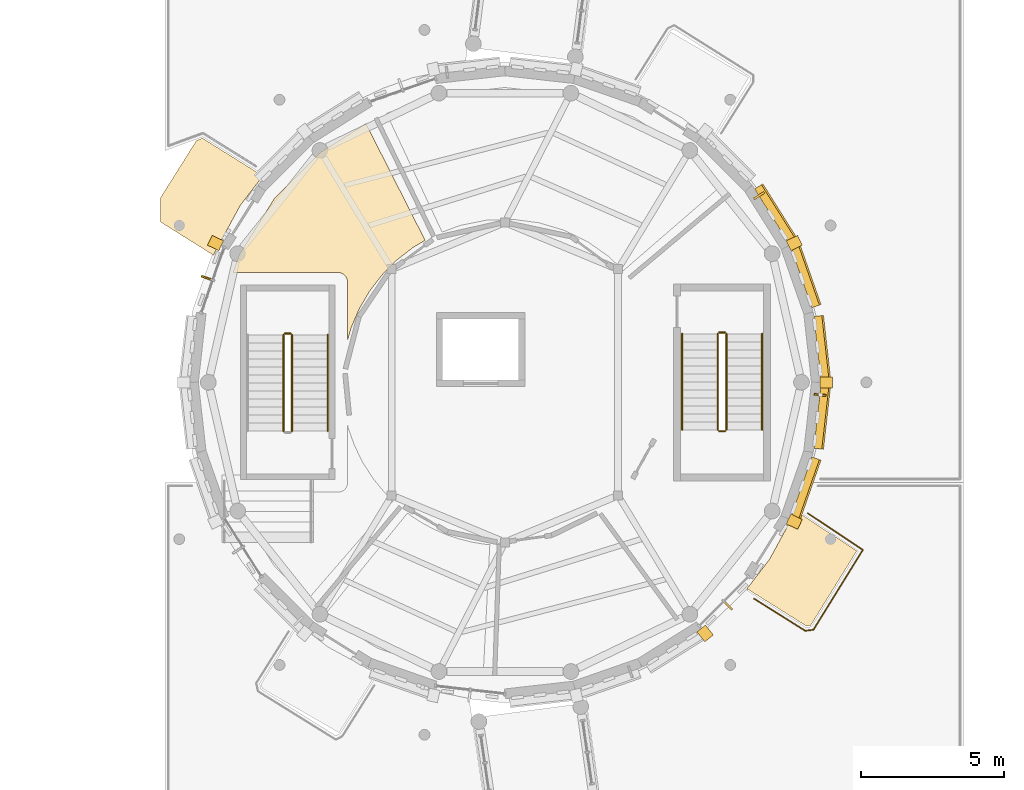
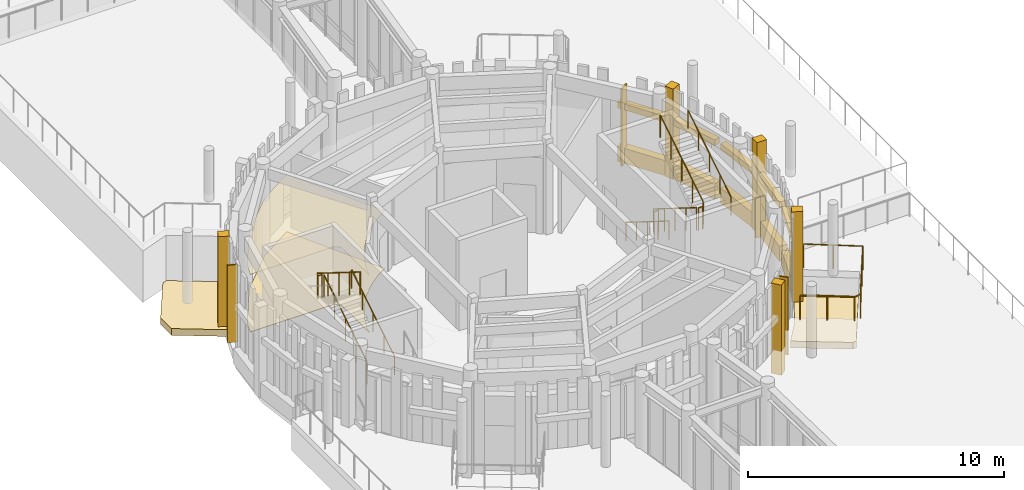
# One storey, part 72 of 94: 19 coverings, 11 railings, 4 shading devices.
"""IFC4 building model written with IfcOpenShell, lengths in metres."""

from ifc_helpers import new_model, si_unit, direction, frame, origin, origin_2d, place, context, subcontext, project, spatial, polyline, rectangle, circle, outline, extrude, material, layer, layer_set, type_object, element, save


model = new_model("IFC4")

# Units and contexts
model_context = context("Model", 3, precision=1e-05, world=origin(), true_north=direction((0.0, 1.0)))
body_context = subcontext(model_context, "Body", "Model", "MODEL_VIEW")
ifc_project = project(units=[si_unit("LENGTHUNIT", "METRE"), si_unit("AREAUNIT", "SQUARE_METRE"), si_unit("VOLUMEUNIT", "CUBIC_METRE"), si_unit("PLANEANGLEUNIT", "RADIAN"), si_unit("MASSUNIT", "GRAM", prefix="KILO")], contexts=[model_context])

# Site, building, storey
site_placement = place(None, origin())
site = spatial("IfcSite", under=ifc_project, at=site_placement, CompositionType="ELEMENT")
building_placement = place(site_placement, origin())
building = spatial("IfcBuilding", under=site, at=building_placement, Name="Aldenvaro Health Centre", CompositionType="ELEMENT")
storey_placement = place(building_placement, origin())
storey = spatial("IfcBuildingStorey", under=building, at=storey_placement, Name="L00", CompositionType="ELEMENT", Elevation=0.0)

# Coverings
ifc_material_1 = material(Name="Antimicrobial Mineral Fibre Ceiling")
ifc_layer_1 = layer(ifc_material_1, 0.01806640625, Name="Antimicrobial Mineral Fibre Ceiling")
ifc_layer_set_1 = layer_set([ifc_layer_1], Name="Antimicrobial Mineral Fibre Ceiling")
covering_type_1 = type_object("IfcCoveringType", Name="COV-CLG-ACT18", PredefinedType="CEILING", material=ifc_layer_set_1)
covering_1_placement = place(storey_placement, frame((0.0, 0.0, 2.75)))
element("IfcCovering", 1, at=covering_1_placement, inside=storey, type_object=covering_type_1, Name="D3-L00-R02 Suspended Ceiling", PredefinedType="CEILING", context=body_context, shape_type="SweptSolid", body=[
    extrude(outline(polyline([(17.989990234375, 58.958984375), (17.989990234375, 61.02001953125), (17.989990234375, 61.031982421875), (17.989013671875, 61.0400390625), (17.987060546875, 61.06298828125), (17.986083984375, 61.071044921875), (17.98095703125, 61.093994140625), (17.97900390625, 61.10205078125), (17.972900390625, 61.1240234375), (17.969970703125, 61.131103515625), (17.9609375, 61.153076171875), (17.9580078125, 61.159912109375), (17.946044921875, 61.180908203125), (17.94189453125, 61.18798828125), (17.928955078125, 61.20703125), (17.925048828125, 61.214111328125), (17.909912109375, 61.23193359375), (17.904052734375, 61.238037109375), (17.887939453125, 61.25390625), (17.882080078125, 61.260009765625), (17.864013671875, 61.27490234375), (17.85693359375, 61.279052734375), (17.837890625, 61.2919921875), (17.8310546875, 61.2958984375), (17.81005859375, 61.30810546875), (17.802978515625, 61.31103515625), (17.781005859375, 61.320068359375), (17.77392578125, 61.322998046875), (17.751953125, 61.3291015625), (17.743896484375, 61.3310546875), (17.720947265625, 61.3359375), (17.712890625, 61.3369140625), (17.68994140625, 61.339111328125), (17.681884765625, 61.340087890625), (17.669921875, 61.340087890625), (13.98095703125, 61.340087890625), (14.2041015625, 61.97705078125), (15.43310546875, 63.93310546875), (17.06689453125, 65.56689453125), (18.637939453125, 66.553955078125), (20.708984375, 62.469970703125), (20.304931640625, 62.23193359375), (20.280029296875, 62.215087890625), (19.73193359375, 61.7900390625), (19.708984375, 61.76904296875), (19.218994140625, 61.278076171875), (19.198974609375, 61.2548828125), (18.77490234375, 60.705078125), (18.758056640625, 60.679931640625), (18.406982421875, 60.0810546875), (18.39404296875, 60.053955078125), (18.12109375, 59.416015625), (18.111083984375, 59.386962890625), (17.989990234375, 58.958984375)])), origin(), (0.0, 0.0, 1.0), 0.01806640625),
])
ifc_material_2 = material(Name="Honed Sonoran Buff Limestone", Category="masonry")
ifc_layer_2 = layer(ifc_material_2, 0.280029296875, Name="Honed Sonoran Buff Limestone", Category="masonry")
ifc_layer_set_2 = layer_set([ifc_layer_2], Name="Honed Sonoran Buff Limestone")
covering_type_2 = type_object("IfcCoveringType", Name="COV-CRN-STN", PredefinedType="CLADDING", material=ifc_layer_set_2)
covering_2_placement = place(storey_placement, frame((34.60107421875, 56.2490234375, 0.0), z_axis=(0.0, 0.0, 1.0), x_axis=(-0.111870646695, -0.993722777443, 0.0)))
element("IfcCovering", 2, at=covering_2_placement, inside=storey, type_object=covering_type_2, Name="D3 L00 Rusticated Limestone Plinth 1.1", PredefinedType="CLADDING", context=body_context, shape_type="SweptSolid", body=[
    extrude(rectangle(XDim=2.159912109375, YDim=0.340087890625, at=origin_2d()), origin(), (0.0, 0.0, 1.0), 0.719970703125),
])
covering_3_placement = place(storey_placement, frame((34.572021484375, 56.2529296875, 2.5498046875), z_axis=(0.0, 0.0, 1.0), x_axis=(-0.111870646695, -0.993722777443, 0.0)))
element("IfcCovering", 3, at=covering_3_placement, inside=storey, type_object=covering_type_2, Name="D3 L00 Rusticated Limestone Plinth 1.2", PredefinedType="CLADDING", context=body_context, shape_type="SweptSolid", body=[
    extrude(rectangle(XDim=2.159912109375, YDim=0.280029296875, at=origin_2d()), origin(), (0.0, 0.0, 1.0), 0.280029296875),
])
covering_4_placement = place(storey_placement, frame((34.739990234375, 57.5, -0.00048828125), z_axis=(0.0, 0.0, 1.0), x_axis=(1.0, 0.0, 0.0)))
element("IfcCovering", 4, at=covering_4_placement, inside=storey, type_object=covering_type_2, Name="D3 L00 Engaged Classical Limestone Pilaster 01", PredefinedType="CLADDING", context=body_context, shape_type="SweptSolid", body=[
    extrude(rectangle(XDim=0.43994140625, YDim=0.3798828125, at=origin_2d()), origin(), (0.0, 0.0, 1.0), 4.304931640625),
])
covering_5_placement = place(storey_placement, frame((34.044921875, 53.81103515625, 0.0), z_axis=(0.0, 0.0, 1.0), x_axis=(-0.330204431323, -0.943909441385, 0.0)))
element("IfcCovering", 5, at=covering_5_placement, inside=storey, type_object=covering_type_2, Name="D3 L00 Rusticated Limestone Plinth 2.1", PredefinedType="CLADDING", context=body_context, shape_type="SweptSolid", body=[
    extrude(rectangle(XDim=2.160888671875, YDim=0.340087890625, at=origin_2d()), origin(), (0.0, 0.0, 1.0), 0.719970703125),
])
covering_6_placement = place(storey_placement, frame((34.01708984375, 53.821044921875, 2.5498046875), z_axis=(0.0, 0.0, 1.0), x_axis=(-0.330204431323, -0.943909441385, 0.0)))
element("IfcCovering", 6, at=covering_6_placement, inside=storey, type_object=covering_type_2, Name="D3 L00 Rusticated Limestone Plinth 2.2", PredefinedType="CLADDING", context=body_context, shape_type="SweptSolid", body=[
    extrude(rectangle(XDim=2.160888671875, YDim=0.280029296875, at=origin_2d()), origin(), (0.0, 0.0, 1.0), 0.280029296875),
])
for number, where, z_axis, x_axis, name in (
    (7, (33.626953125, 52.6240234375, -0.00048828125), (0.0, 0.0, 1.0), (0.900988388345, -0.433843202168, 0.0), "D3 L00 Engaged Classical Limestone Pilaster 02"),
    (8, (30.508056640625, 48.7119140625, -0.00048828125), (0.0, 0.0, 1.0), (0.623485976143, -0.781834533359, 0.0), "D3 L00 Engaged Classical Limestone Pilaster 03"),
    (9, (13.373046875, 62.3759765625, -0.00048828125), (0.0, 0.0, 1.0), (-0.900988388345, 0.433843202168, 0.0), "D3 L00 Engaged Classical Limestone Pilaster 09"),
):
    element("IfcCovering", number, at=place(storey_placement, frame(where, z_axis=z_axis, x_axis=x_axis)), inside=storey, type_object=covering_type_2, Name=name, PredefinedType="CLADDING", context=body_context, shape_type="SweptSolid", body=[
        extrude(rectangle(XDim=0.43994140625, YDim=0.3798828125, at=origin_2d()), origin(), (0.0, 0.0, 1.0), 4.304931640625),
    ])
covering_7_placement = place(storey_placement, frame((32.958984375, 63.443115234375, 0.0), z_axis=(0.0, 0.0, 1.0), x_axis=(0.532096042675, -0.846684003256, 0.0)))
element("IfcCovering", 10, at=covering_7_placement, inside=storey, type_object=covering_type_2, Name="D3 L00 Rusticated Limestone Plinth 26.1", PredefinedType="CLADDING", context=body_context, shape_type="SweptSolid", body=[
    extrude(rectangle(XDim=2.160888671875, YDim=0.340087890625, at=origin_2d()), origin(), (0.0, 0.0, 1.0), 0.719970703125),
])
covering_8_placement = place(storey_placement, frame((32.93408203125, 63.427001953125, 2.5498046875), z_axis=(0.0, 0.0, 1.0), x_axis=(0.532096042675, -0.846684003256, 0.0)))
element("IfcCovering", 11, at=covering_8_placement, inside=storey, type_object=covering_type_2, Name="D3 L00 Rusticated Limestone Plinth 26.2", PredefinedType="CLADDING", context=body_context, shape_type="SweptSolid", body=[
    extrude(rectangle(XDim=2.160888671875, YDim=0.280029296875, at=origin_2d()), origin(), (0.0, 0.0, 1.0), 0.280029296875),
])
covering_9_placement = place(storey_placement, frame((34.044921875, 61.18896484375, 0.0), z_axis=(0.0, 0.0, 1.0), x_axis=(0.330204431323, -0.943909441385, 0.0)))
element("IfcCovering", 12, at=covering_9_placement, inside=storey, type_object=covering_type_2, Name="D3 L00 Rusticated Limestone Plinth 27.1", PredefinedType="CLADDING", context=body_context, shape_type="SweptSolid", body=[
    extrude(rectangle(XDim=2.160888671875, YDim=0.340087890625, at=origin_2d()), origin(), (0.0, 0.0, 1.0), 0.719970703125),
])
covering_10_placement = place(storey_placement, frame((34.01708984375, 61.178955078125, 2.5498046875), z_axis=(0.0, 0.0, 1.0), x_axis=(0.330204431323, -0.943909441385, 0.0)))
element("IfcCovering", 13, at=covering_10_placement, inside=storey, type_object=covering_type_2, Name="D3 L00 Rusticated Limestone Plinth 27.2", PredefinedType="CLADDING", context=body_context, shape_type="SweptSolid", body=[
    extrude(rectangle(XDim=2.160888671875, YDim=0.280029296875, at=origin_2d()), origin(), (0.0, 0.0, 1.0), 0.280029296875),
])
covering_11_placement = place(storey_placement, frame((33.626953125, 62.3759765625, -0.00048828125), z_axis=(0.0, 0.0, 1.0), x_axis=(0.900988388345, 0.433843202168, 0.0)))
element("IfcCovering", 14, at=covering_11_placement, inside=storey, type_object=covering_type_2, Name="D3 L00 Engaged Classical Limestone Pilaster 14", PredefinedType="CLADDING", context=body_context, shape_type="SweptSolid", body=[
    extrude(rectangle(XDim=0.43994140625, YDim=0.3798828125, at=origin_2d()), origin(), (0.0, 0.0, 1.0), 4.304931640625),
])
covering_12_placement = place(storey_placement, frame((34.60107421875, 58.7509765625, 0.0), z_axis=(0.0, 0.0, 1.0), x_axis=(0.111870646695, -0.993722777443, 0.0)))
element("IfcCovering", 15, at=covering_12_placement, inside=storey, type_object=covering_type_2, Name="D3 L00 Rusticated Limestone Plinth 28.1", PredefinedType="CLADDING", context=body_context, shape_type="SweptSolid", body=[
    extrude(rectangle(XDim=2.159912109375, YDim=0.340087890625, at=origin_2d()), origin(), (0.0, 0.0, 1.0), 0.719970703125),
])
covering_13_placement = place(storey_placement, frame((34.572021484375, 58.7470703125, 2.5498046875), z_axis=(0.0, 0.0, 1.0), x_axis=(0.111870646695, -0.993722777443, 0.0)))
element("IfcCovering", 16, at=covering_13_placement, inside=storey, type_object=covering_type_2, Name="D3 L00 Rusticated Limestone Plinth 28.2", PredefinedType="CLADDING", context=body_context, shape_type="SweptSolid", body=[
    extrude(rectangle(XDim=2.159912109375, YDim=0.280029296875, at=origin_2d()), origin(), (0.0, 0.0, 1.0), 0.280029296875),
])
ifc_material_3 = material(Name="Polished Epoxy Terrazzo Flooring")
ifc_layer_3 = layer(ifc_material_3, 0.02197265625, Name="Polished Epoxy Terrazzo Flooring")
ifc_layer_set_3 = layer_set([ifc_layer_3], Name="Polished Epoxy Terrazzo Flooring")
covering_type_3 = type_object("IfcCoveringType", Name="COV-FLR-TER22", PredefinedType="FLOORING", material=ifc_layer_set_3)
covering_14_placement = place(storey_placement, origin())
element("IfcCovering", 17, at=covering_14_placement, inside=storey, type_object=covering_type_3, Name="D3-L00-R02 Flooring", PredefinedType="FLOORING", context=body_context, shape_type="SweptSolid", body=[
    extrude(outline(polyline([(17.989990234375, 58.958984375), (17.989990234375, 61.02001953125), (17.989990234375, 61.031982421875), (17.989013671875, 61.0400390625), (17.987060546875, 61.06298828125), (17.986083984375, 61.071044921875), (17.98095703125, 61.093994140625), (17.97900390625, 61.10205078125), (17.972900390625, 61.1240234375), (17.969970703125, 61.131103515625), (17.9609375, 61.153076171875), (17.9580078125, 61.159912109375), (17.946044921875, 61.180908203125), (17.94189453125, 61.18798828125), (17.928955078125, 61.20703125), (17.925048828125, 61.214111328125), (17.909912109375, 61.23193359375), (17.904052734375, 61.238037109375), (17.887939453125, 61.25390625), (17.882080078125, 61.260009765625), (17.864013671875, 61.27490234375), (17.85693359375, 61.279052734375), (17.837890625, 61.2919921875), (17.8310546875, 61.2958984375), (17.81005859375, 61.30810546875), (17.802978515625, 61.31103515625), (17.781005859375, 61.320068359375), (17.77392578125, 61.322998046875), (17.751953125, 61.3291015625), (17.743896484375, 61.3310546875), (17.720947265625, 61.3359375), (17.712890625, 61.3369140625), (17.68994140625, 61.339111328125), (17.681884765625, 61.340087890625), (17.669921875, 61.340087890625), (13.98095703125, 61.340087890625), (14.2041015625, 61.97705078125), (15.43310546875, 63.93310546875), (17.06689453125, 65.56689453125), (18.637939453125, 66.553955078125), (20.708984375, 62.469970703125), (20.304931640625, 62.23193359375), (20.280029296875, 62.215087890625), (19.73193359375, 61.7900390625), (19.708984375, 61.76904296875), (19.218994140625, 61.278076171875), (19.198974609375, 61.2548828125), (18.77490234375, 60.705078125), (18.758056640625, 60.679931640625), (18.406982421875, 60.0810546875), (18.39404296875, 60.053955078125), (18.12109375, 59.416015625), (18.111083984375, 59.386962890625), (17.989990234375, 58.958984375)])), origin(), (0.0, 0.0, 1.0), 0.02197265625),
])
ifc_material_4 = material(Name="Honed Sonoran Buff Travertine", Category="masonry")
ifc_layer_4 = layer(ifc_material_4, 0.320068359375, Name="Honed Sonoran Buff Travertine", Category="masonry")
ifc_layer_set_4 = layer_set([ifc_layer_4], Name="Honed Sonoran Buff Travertine")
covering_type_4 = type_object("IfcCoveringType", Name="COV-POD-320", PredefinedType="FLOORING", material=ifc_layer_set_4)
covering_15_placement = place(storey_placement, frame((0.0, 0.0, -0.320068359375)))
element("IfcCovering", 18, at=covering_15_placement, inside=storey, type_object=covering_type_4, Name="South Street Entrance Stylobate Forecourt Section 19", PredefinedType="FLOORING", context=body_context, shape_type="SweptSolid", body=[
    extrude(outline(polyline([(33.681884765625, 53.00390625), (35.81689453125, 51.60205078125), (34.201904296875, 48.990966796875), (34.0458984375, 48.971923828125), (31.969970703125, 50.277099609375), (32.762939453125, 51.31103515625), (33.681884765625, 53.00390625)])), origin(), (0.0, 0.0, 1.0), 0.320068359375),
])
covering_16_placement = place(storey_placement, frame((0.0, 0.0, -0.320068359375)))
element("IfcCovering", 19, at=covering_16_placement, inside=storey, type_object=covering_type_4, Name="South Street Entrance Stylobate Forecourt Section 20", PredefinedType="FLOORING", context=body_context, shape_type="SweptSolid", body=[
    extrude(outline(polyline([(12.91796875, 66.04296875), (15.030029296875, 64.722900390625), (14.237060546875, 63.68896484375), (13.297119140625, 61.950927734375), (11.449951171875, 63.111083984375), (11.449951171875, 63.962890625), (12.708984375, 65.967041015625), (12.91796875, 66.04296875)])), origin(), (0.0, 0.0, 1.0), 0.320068359375),
])

# Railings
ifc_material_5 = material(Name="Painted Architectural Steel", Category="steel")
railing_type_1 = type_object("IfcRailingType", Name="RL-BAL-115", PredefinedType="GUARDRAIL", material=ifc_material_5)
railing_1_placement = place(storey_placement, frame((32.2119140625, 49.93408203125, 1.14990234375)))
element("IfcRailing", 20, at=railing_1_placement, inside=storey, type_object=railing_type_1, Name="Lower Foothill Wing and Amphitheatre Court Terrace Classical Balustrade 10", PredefinedType="GUARDRAIL", context=body_context, shape_type="SweptSolid", body=[
    extrude(circle(Radius=0.02392578125, at=origin_2d()), frame((0.0, 0.0, 1.1357421875), z_axis=(0.847073031992, -0.531476507921, 0.0), x_axis=(0.531476507921, 0.847073031992, 0.0)), (0.0, 0.0, 1.0), 2.122802734375),
    extrude(circle(Radius=0.02392578125, at=origin_2d()), frame((1.798095703125, -1.128173828125, 1.1357421875), z_axis=(0.992226044546, 0.124448690333, 0.0), x_axis=(-0.124448690333, 0.992226044546, 0.0)), (0.0, 0.0, 1.0), 0.290283203125),
    extrude(circle(Radius=0.02392578125, at=origin_2d()), frame((2.086181640625, -1.092041015625, 1.1357421875), z_axis=(0.52582502975, 0.850592756899, 0.0), x_axis=(-0.850592756899, 0.52582502975, 0.0)), (0.0, 0.0, 1.0), 3.285888671875),
    extrude(circle(Radius=0.02392578125, at=origin_2d()), frame((3.81396484375, 1.702880859375, 1.1357421875), z_axis=(-0.832713815148, 0.553703622944, 0.0), x_axis=(-0.553703622944, -0.832713815148, 0.0)), (0.0, 0.0, 1.0), 2.31884765625),
    extrude(circle(Radius=0.02099609375, at=origin_2d()), origin(), (0.0, 0.0, 1.0), 1.11181640625),
    extrude(circle(Radius=0.02099609375, at=origin_2d()), frame((0.89892578125, -0.56396484375, 0.0)), (0.0, 0.0, 1.0), 1.11181640625),
    extrude(circle(Radius=0.02099609375, at=origin_2d()), frame((1.798095703125, -1.128173828125, 0.0)), (0.0, 0.0, 1.0), 1.11181640625),
    extrude(circle(Radius=0.02099609375, at=origin_2d()), frame((2.086181640625, -1.092041015625, 0.0)), (0.0, 0.0, 1.0), 1.11181640625),
    extrude(circle(Radius=0.02099609375, at=origin_2d()), frame((2.662109375, -0.160400390625, 0.0)), (0.0, 0.0, 1.0), 1.11181640625),
    extrude(circle(Radius=0.02099609375, at=origin_2d()), frame((3.238037109375, 0.771240234375, 0.0)), (0.0, 0.0, 1.0), 1.11181640625),
    extrude(circle(Radius=0.02099609375, at=origin_2d()), frame((3.81396484375, 1.702880859375, 0.0)), (0.0, 0.0, 1.0), 1.11181640625),
    extrude(circle(Radius=0.02099609375, at=origin_2d()), frame((2.8486328125, 2.3447265625, 0.0)), (0.0, 0.0, 1.0), 1.11181640625),
    extrude(circle(Radius=0.02099609375, at=origin_2d()), frame((1.883056640625, 2.98681640625, 0.0)), (0.0, 0.0, 1.0), 1.11181640625),
])
railing_type_2 = type_object("IfcRailingType", Name="RL-BAL-INT", PredefinedType="BALUSTRADE", material=ifc_material_5)
railing_2_placement = place(storey_placement, frame((30.949951171875, 59.199951171875, 0.175048828125)))
element("IfcRailing", 21, at=railing_2_placement, inside=storey, type_object=railing_type_2, Name="L00 ST-05 stair guard 1", PredefinedType="BALUSTRADE", context=body_context, shape_type="SweptSolid", body=[
    extrude(circle(Radius=0.02392578125, at=origin_2d()), frame((0.0, 0.0, 1.076171875), z_axis=(0.0, -0.848005227453, 0.529987862325), x_axis=(1.0, 0.0, 0.0)), (0.0, 0.0, 1.0), 3.962158203125),
    extrude(circle(Radius=0.02099609375, at=origin_2d()), origin(), (0.0, 0.0, 1.0), 1.052001953125),
    extrude(circle(Radius=0.02099609375, at=origin_2d()), frame((0.0, -0.83984375, 0.52490234375)), (0.0, 0.0, 1.0), 1.052001953125),
    extrude(circle(Radius=0.02099609375, at=origin_2d()), frame((0.0, -1.679931640625, 1.0498046875)), (0.0, 0.0, 1.0), 1.052001953125),
    extrude(circle(Radius=0.02099609375, at=origin_2d()), frame((0.0, -2.52001953125, 1.574951171875)), (0.0, 0.0, 1.0), 1.052001953125),
    extrude(circle(Radius=0.02099609375, at=origin_2d()), frame((0.0, -3.35986328125, 2.099853515625)), (0.0, 0.0, 1.0), 1.052001953125),
])
railing_3_placement = place(storey_placement, frame((31.0, 55.7900390625, 2.27490234375)))
element("IfcRailing", 22, at=railing_3_placement, inside=storey, type_object=railing_type_2, Name="L00 ST-05 stair guard 2", PredefinedType="BALUSTRADE", context=body_context, shape_type="SweptSolid", body=[
    extrude(circle(Radius=0.02392578125, at=origin_2d()), frame((0.0, 0.0, 1.076171875), z_axis=(1.0, 0.0, 0.0), x_axis=(0.0, 1.0, 0.0)), (0.0, 0.0, 1.0), 0.199951171875),
    extrude(circle(Radius=0.02099609375, at=origin_2d()), origin(), (0.0, 0.0, 1.0), 1.052001953125),
    extrude(circle(Radius=0.02099609375, at=origin_2d()), frame((0.199951171875, 0.0, 0.0)), (0.0, 0.0, 1.0), 1.052001953125),
])
railing_4_placement = place(storey_placement, frame((31.25, 55.840087890625, 2.449951171875)))
element("IfcRailing", 23, at=railing_4_placement, inside=storey, type_object=railing_type_2, Name="L00 ST-05 stair guard 3", PredefinedType="BALUSTRADE", context=body_context, shape_type="SweptSolid", body=[
    extrude(circle(Radius=0.02392578125, at=origin_2d()), frame((0.0, 0.0, 1.076171875), z_axis=(0.0, 0.847977533471, 0.530032171408), x_axis=(-1.0, 0.0, 0.0)), (0.0, 0.0, 1.0), 3.962158203125),
    extrude(circle(Radius=0.02099609375, at=origin_2d()), origin(), (0.0, 0.0, 1.0), 1.052001953125),
    extrude(circle(Radius=0.02099609375, at=origin_2d()), frame((0.0, 0.83984375, 0.52490234375)), (0.0, 0.0, 1.0), 1.052001953125),
    extrude(circle(Radius=0.02099609375, at=origin_2d()), frame((0.0, 1.679931640625, 1.050048828125)), (0.0, 0.0, 1.0), 1.052001953125),
    extrude(circle(Radius=0.02099609375, at=origin_2d()), frame((0.0, 2.52001953125, 1.5751953125)), (0.0, 0.0, 1.0), 1.052001953125),
    extrude(circle(Radius=0.02099609375, at=origin_2d()), frame((0.0, 3.35986328125, 2.10009765625)), (0.0, 0.0, 1.0), 1.052001953125),
])
railing_5_placement = place(storey_placement, frame((31.0, 59.25, 0.0)))
element("IfcRailing", 24, at=railing_5_placement, inside=storey, type_object=railing_type_2, Name="L00 ST-05 stair guard 4", PredefinedType="BALUSTRADE", context=body_context, shape_type="SweptSolid", body=[
    extrude(circle(Radius=0.02392578125, at=origin_2d()), frame((0.0, 0.0, 1.076171875), z_axis=(1.0, 0.0, 0.0), x_axis=(0.0, 1.0, 0.0)), (0.0, 0.0, 1.0), 0.199951171875),
    extrude(circle(Radius=0.02099609375, at=origin_2d()), origin(), (0.0, 0.0, 1.0), 1.052001953125),
    extrude(circle(Radius=0.02099609375, at=origin_2d()), frame((0.199951171875, 0.0, 0.0)), (0.0, 0.0, 1.0), 1.052001953125),
])
railing_6_placement = place(storey_placement, frame((16.050048828125, 55.800048828125, 0.175048828125)))
element("IfcRailing", 25, at=railing_6_placement, inside=storey, type_object=railing_type_2, Name="L00 ST-06 stair guard 1", PredefinedType="BALUSTRADE", context=body_context, shape_type="SweptSolid", body=[
    extrude(circle(Radius=0.02392578125, at=origin_2d()), frame((0.0, 0.0, 1.076171875), z_axis=(0.0, 0.848005227453, 0.529987862325), x_axis=(-1.0, 0.0, 0.0)), (0.0, 0.0, 1.0), 3.962158203125),
    extrude(circle(Radius=0.02099609375, at=origin_2d()), origin(), (0.0, 0.0, 1.0), 1.052001953125),
    extrude(circle(Radius=0.02099609375, at=origin_2d()), frame((0.0, 0.83984375, 0.52490234375)), (0.0, 0.0, 1.0), 1.052001953125),
    extrude(circle(Radius=0.02099609375, at=origin_2d()), frame((0.0, 1.679931640625, 1.0498046875)), (0.0, 0.0, 1.0), 1.052001953125),
    extrude(circle(Radius=0.02099609375, at=origin_2d()), frame((0.0, 2.52001953125, 1.574951171875)), (0.0, 0.0, 1.0), 1.052001953125),
    extrude(circle(Radius=0.02099609375, at=origin_2d()), frame((0.0, 3.35986328125, 2.099853515625)), (0.0, 0.0, 1.0), 1.052001953125),
])
railing_7_placement = place(storey_placement, frame((16.0, 59.2099609375, 2.27490234375)))
element("IfcRailing", 26, at=railing_7_placement, inside=storey, type_object=railing_type_2, Name="L00 ST-06 stair guard 2", PredefinedType="BALUSTRADE", context=body_context, shape_type="SweptSolid", body=[
    extrude(circle(Radius=0.02392578125, at=origin_2d()), frame((0.0, 0.0, 1.076171875), z_axis=(-1.0, 0.0, 0.0), x_axis=(0.0, -1.0, 0.0)), (0.0, 0.0, 1.0), 0.199951171875),
    extrude(circle(Radius=0.02099609375, at=origin_2d()), origin(), (0.0, 0.0, 1.0), 1.052001953125),
    extrude(circle(Radius=0.02099609375, at=origin_2d()), frame((-0.199951171875, 0.0, 0.0)), (0.0, 0.0, 1.0), 1.052001953125),
])
railing_8_placement = place(storey_placement, frame((15.75, 59.159912109375, 2.449951171875)))
element("IfcRailing", 27, at=railing_8_placement, inside=storey, type_object=railing_type_2, Name="L00 ST-06 stair guard 3", PredefinedType="BALUSTRADE", context=body_context, shape_type="SweptSolid", body=[
    extrude(circle(Radius=0.02392578125, at=origin_2d()), frame((0.0, 0.0, 1.076171875), z_axis=(0.0, -0.847977533471, 0.530032171408), x_axis=(1.0, 0.0, 0.0)), (0.0, 0.0, 1.0), 3.962158203125),
    extrude(circle(Radius=0.02099609375, at=origin_2d()), origin(), (0.0, 0.0, 1.0), 1.052001953125),
    extrude(circle(Radius=0.02099609375, at=origin_2d()), frame((0.0, -0.83984375, 0.52490234375)), (0.0, 0.0, 1.0), 1.052001953125),
    extrude(circle(Radius=0.02099609375, at=origin_2d()), frame((0.0, -1.679931640625, 1.050048828125)), (0.0, 0.0, 1.0), 1.052001953125),
    extrude(circle(Radius=0.02099609375, at=origin_2d()), frame((0.0, -2.52001953125, 1.5751953125)), (0.0, 0.0, 1.0), 1.052001953125),
    extrude(circle(Radius=0.02099609375, at=origin_2d()), frame((0.0, -3.35986328125, 2.10009765625)), (0.0, 0.0, 1.0), 1.052001953125),
])
railing_type_3 = type_object("IfcRailingType", Name="RL-HND-INT", PredefinedType="HANDRAIL", material=ifc_material_5)
railing_9_placement = place(storey_placement, frame((29.699951171875, 59.199951171875, 0.175048828125)))
element("IfcRailing", 28, at=railing_9_placement, inside=storey, type_object=railing_type_3, Name="L00 ST-05 stair handrail 1", PredefinedType="HANDRAIL", context=body_context, shape_type="SweptSolid", body=[
    extrude(circle(Radius=0.02392578125, at=origin_2d()), frame((0.0, 0.0, 0.8759765625), z_axis=(0.0, -0.848005227453, 0.529987862325), x_axis=(1.0, 0.0, 0.0)), (0.0, 0.0, 1.0), 3.962158203125),
    extrude(circle(Radius=0.02099609375, at=origin_2d()), origin(), (0.0, 0.0, 1.0), 0.851806640625),
    extrude(circle(Radius=0.02099609375, at=origin_2d()), frame((0.0, -0.83984375, 0.52490234375)), (0.0, 0.0, 1.0), 0.851806640625),
    extrude(circle(Radius=0.02099609375, at=origin_2d()), frame((0.0, -1.679931640625, 1.0498046875)), (0.0, 0.0, 1.0), 0.851806640625),
    extrude(circle(Radius=0.02099609375, at=origin_2d()), frame((0.0, -2.52001953125, 1.574951171875)), (0.0, 0.0, 1.0), 0.851806640625),
    extrude(circle(Radius=0.02099609375, at=origin_2d()), frame((0.0, -3.35986328125, 2.099853515625)), (0.0, 0.0, 1.0), 0.851806640625),
])
railing_10_placement = place(storey_placement, frame((32.5, 55.840087890625, 2.449951171875)))
element("IfcRailing", 29, at=railing_10_placement, inside=storey, type_object=railing_type_3, Name="L00 ST-05 stair handrail 2", PredefinedType="HANDRAIL", context=body_context, shape_type="SweptSolid", body=[
    extrude(circle(Radius=0.02392578125, at=origin_2d()), frame((0.0, 0.0, 0.8759765625), z_axis=(0.0, 0.847977533471, 0.530032171408), x_axis=(-1.0, 0.0, 0.0)), (0.0, 0.0, 1.0), 3.962158203125),
    extrude(circle(Radius=0.02099609375, at=origin_2d()), origin(), (0.0, 0.0, 1.0), 0.851806640625),
    extrude(circle(Radius=0.02099609375, at=origin_2d()), frame((0.0, 0.83984375, 0.52490234375)), (0.0, 0.0, 1.0), 0.851806640625),
    extrude(circle(Radius=0.02099609375, at=origin_2d()), frame((0.0, 1.679931640625, 1.050048828125)), (0.0, 0.0, 1.0), 0.851806640625),
    extrude(circle(Radius=0.02099609375, at=origin_2d()), frame((0.0, 2.52001953125, 1.5751953125)), (0.0, 0.0, 1.0), 0.851806640625),
    extrude(circle(Radius=0.02099609375, at=origin_2d()), frame((0.0, 3.35986328125, 2.10009765625)), (0.0, 0.0, 1.0), 0.851806640625),
])
railing_11_placement = place(storey_placement, frame((17.300048828125, 55.800048828125, 0.175048828125)))
element("IfcRailing", 30, at=railing_11_placement, inside=storey, type_object=railing_type_3, Name="L00 ST-06 stair handrail 1", PredefinedType="HANDRAIL", context=body_context, shape_type="SweptSolid", body=[
    extrude(circle(Radius=0.02392578125, at=origin_2d()), frame((0.0, 0.0, 0.8759765625), z_axis=(0.0, 0.848005227453, 0.529987862325), x_axis=(-1.0, 0.0, 0.0)), (0.0, 0.0, 1.0), 3.962158203125),
    extrude(circle(Radius=0.02099609375, at=origin_2d()), origin(), (0.0, 0.0, 1.0), 0.851806640625),
    extrude(circle(Radius=0.02099609375, at=origin_2d()), frame((0.0, 0.83984375, 0.52490234375)), (0.0, 0.0, 1.0), 0.851806640625),
    extrude(circle(Radius=0.02099609375, at=origin_2d()), frame((0.0, 1.679931640625, 1.0498046875)), (0.0, 0.0, 1.0), 0.851806640625),
    extrude(circle(Radius=0.02099609375, at=origin_2d()), frame((0.0, 2.52001953125, 1.574951171875)), (0.0, 0.0, 1.0), 0.851806640625),
    extrude(circle(Radius=0.02099609375, at=origin_2d()), frame((0.0, 3.35986328125, 2.099853515625)), (0.0, 0.0, 1.0), 0.851806640625),
])

# Shading devices
ifc_material_6 = material(Name="Douglas Fir Exterior Glulam GL28h", Category="wood")
shading_device_type_1 = type_object("IfcShadingDeviceType", Name="SHD-FIN-190", PredefinedType="USERDEFINED", material=ifc_material_6)
shading_device_1_placement = place(storey_placement, frame((34.527099609375, 57.06298828125, -0.02001953125), z_axis=(0.0, 0.0, 1.0), x_axis=(-0.111870646695, -0.993722777443, 0.0)))
element("IfcShadingDevice", 31, at=shading_device_1_placement, inside=storey, type_object=shading_device_type_1, Name="D3 L00 Douglas fir fin 1.1", ObjectType="FIN", PredefinedType="USERDEFINED", context=body_context, shape_type="SweptSolid", body=[
    extrude(rectangle(XDim=0.06494140625, YDim=0.419921875, at=origin_2d()), origin(), (0.0, 0.0, 1.0), 1.89990234375),
])
shading_device_type_2 = type_object("IfcShadingDeviceType", Name="SHD-FIN-380", PredefinedType="USERDEFINED", material=ifc_material_6)
shading_device_2_placement = place(storey_placement, frame((32.39404296875, 64.033935546875, -0.0205078125), z_axis=(0.0, 0.0, 1.0), x_axis=(0.532096042675, -0.846684003256, 0.0)))
element("IfcShadingDevice", 32, at=shading_device_2_placement, inside=storey, type_object=shading_device_type_2, Name="D3 L00 Douglas fir fin 26.1", ObjectType="FIN", PredefinedType="USERDEFINED", context=body_context, shape_type="SweptSolid", body=[
    extrude(rectangle(XDim=0.074951171875, YDim=0.419921875, at=origin_2d()), origin(), (0.0, 0.0, 1.0), 3.698974609375),
])
shading_device_type_3 = type_object("IfcShadingDeviceType", Name="SHD-FIN-455", PredefinedType="USERDEFINED", material=ifc_material_6)
for number, where, z_axis, x_axis, name in (
    (33, (31.306884765625, 49.693115234375, -0.0205078125), (0.0, 0.0, 1.0), (-0.707106781187, -0.707106781187, 0.0), "D3 L00 vertical timber fin 4.0"),
    (34, (13.077880859375, 61.14599609375, -0.0205078125), (0.0, 0.0, 1.0), (0.330204431323, 0.943909441385, 0.0), "D3 L00 vertical timber fin 16.0"),
):
    element("IfcShadingDevice", number, at=place(storey_placement, frame(where, z_axis=z_axis, x_axis=x_axis)), inside=storey, type_object=shading_device_type_3, Name=name, ObjectType="FIN", PredefinedType="USERDEFINED", context=body_context, shape_type="SweptSolid", body=[
        extrude(rectangle(XDim=0.06494140625, YDim=0.419921875, at=origin_2d()), origin(), (0.0, 0.0, 1.0), 3.698974609375),
    ])

save(model, "model.ifc")
